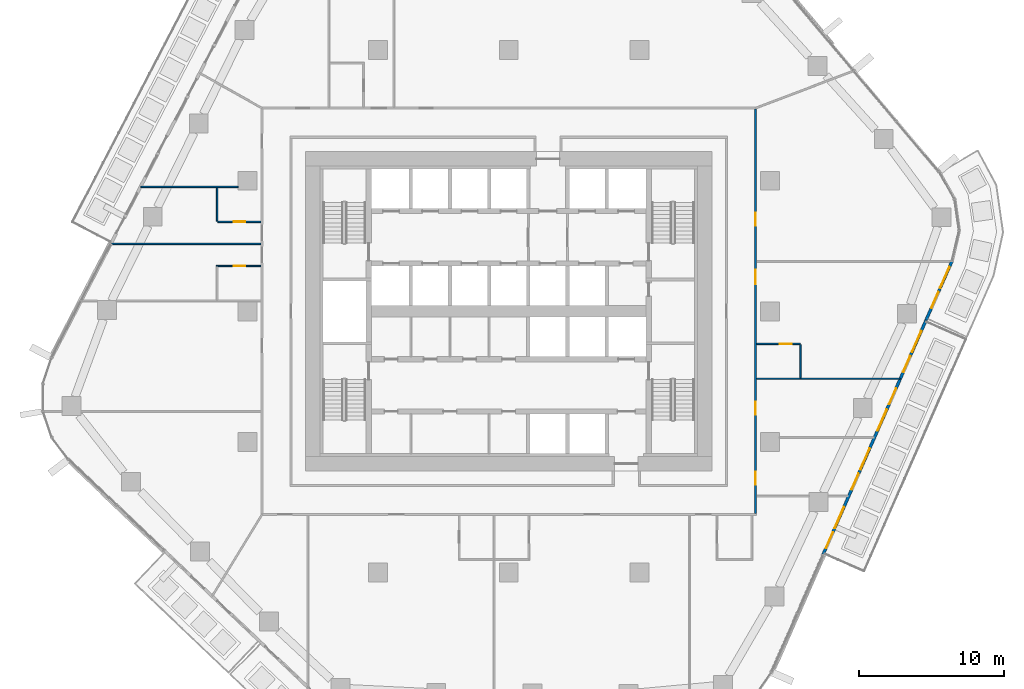
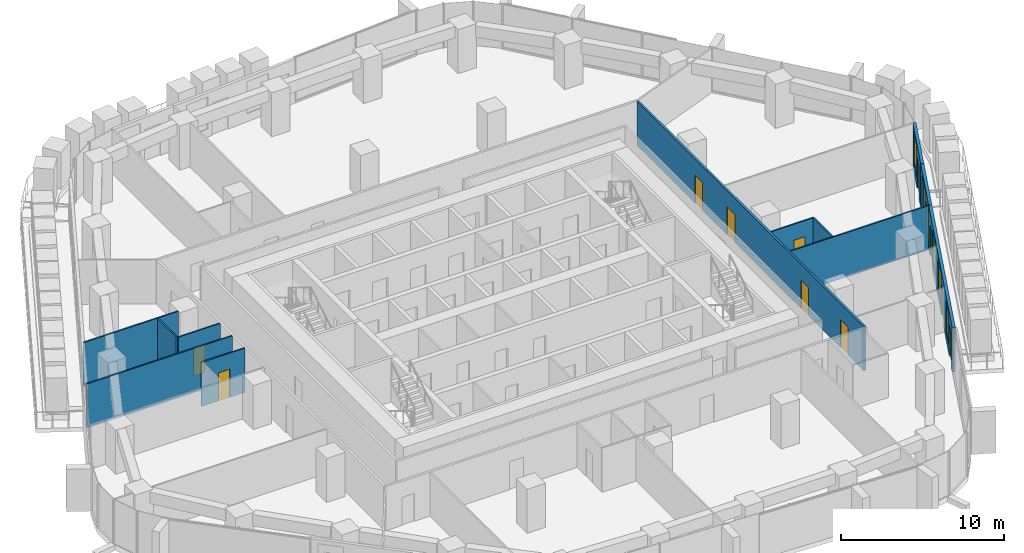
# One storey, part 14 of 23: 12 doors, 11 walls, 5 windows, 17 openings.
"""IFC4 building model written with IfcOpenShell, lengths in metres."""

from ifc_helpers import new_model, si_unit, direction, frame, frame_2d, origin, place, context, subcontext, project, spatial, rectangle, extrude, material, layer, layer_set, type_object, element, fill, save


model = new_model("IFC4")

# Units and contexts
model_context = context("Model", 3, precision=1e-05, world=origin(), true_north=direction((0.0, 1.0)))
body_context = subcontext(model_context, "Body", "Model", "MODEL_VIEW")
ifc_project = project(units=[si_unit("LENGTHUNIT", "METRE"), si_unit("AREAUNIT", "SQUARE_METRE"), si_unit("VOLUMEUNIT", "CUBIC_METRE"), si_unit("PLANEANGLEUNIT", "RADIAN"), si_unit("MASSUNIT", "GRAM", prefix="KILO")], contexts=[model_context])

# Site, building, storey
site_placement = place(None, origin())
site = spatial("IfcSite", under=ifc_project, at=site_placement, CompositionType="ELEMENT")
building_placement = place(site_placement, origin())
building = spatial("IfcBuilding", under=site, at=building_placement, Name="Dongbaek Canopy Tower", CompositionType="ELEMENT")
storey_placement = place(building_placement, frame((0.0, 0.0, 135.89990234375)))
storey = spatial("IfcBuildingStorey", under=building, at=storey_placement, Name="L30", CompositionType="ELEMENT", Elevation=135.89990234375)

# Wall, openings, doors
ifc_material_1 = material(Name="Gypsum board partition, steel stud, 2 x 15 mm fire board", Category="steel")
ifc_layer_1 = layer(ifc_material_1, 0.14990234375)
ifc_layer_set_1 = layer_set([ifc_layer_1], Name="Fire-rated partition 150 gypsum board")
wall_type_1 = type_object("IfcWallType", Name="Fire-rated partition 150 gypsum board", PredefinedType="PARTITIONING", material=ifc_layer_set_1)
wall_1_placement = place(storey_placement, frame((17.0, 13.925048828125, 0.0), z_axis=(0.0, 0.0, 1.0), x_axis=(0.0, -1.0, 0.0)))
wall_1 = element("IfcWall", 1, at=wall_1_placement, inside=storey, type_object=wall_type_1, Name="Corridor partition", PredefinedType="PARTITIONING", context=body_context, shape_type="SweptSolid", body=[
    extrude(rectangle(XDim=27.85009765625, YDim=0.14990234375, at=frame_2d((13.925048828125, 0.0))), origin(), (0.0, 0.0, 1.0), 3.300048828125),
])
opening_1_placement = place(wall_1_placement, frame((24.983154296875, 0.0, 0.0)))
opening_1 = element("IfcOpeningElement", 2, at=opening_1_placement, cuts=wall_1, Name="Opening L30-D009", PredefinedType="OPENING", context=body_context, shape_type="SweptSolid", body=[
    extrude(rectangle(XDim=0.89990234375, YDim=2.10009765625, at=frame_2d((0.449951171875, 1.050048828125))), frame((0.0, 0.0849609375, 0.0), z_axis=(0.0, -1.0, 0.0), x_axis=(1.0, 0.0, 0.0)), (0.0, 0.0, 1.0), 0.169921875),
])
opening_2_placement = place(wall_1_placement, frame((20.143310546875, 0.0, 0.0)))
opening_2 = element("IfcOpeningElement", 3, at=opening_2_placement, cuts=wall_1, Name="Opening L30-D010", PredefinedType="OPENING", context=body_context, shape_type="SweptSolid", body=[
    extrude(rectangle(XDim=0.89990234375, YDim=2.10009765625, at=frame_2d((0.449951171875, 1.050048828125))), frame((0.0, 0.0849609375, 0.0), z_axis=(0.0, -1.0, 0.0), x_axis=(1.0, 0.0, 0.0)), (0.0, 0.0, 1.0), 0.169921875),
])
opening_3_placement = place(wall_1_placement, frame((11.0537109375, 0.0, 0.0)))
opening_3 = element("IfcOpeningElement", 4, at=opening_3_placement, cuts=wall_1, Name="Opening L30-D012", PredefinedType="OPENING", context=body_context, shape_type="SweptSolid", body=[
    extrude(rectangle(XDim=1.0, YDim=2.10009765625, at=frame_2d((0.5, 1.050048828125))), frame((0.0, 0.0849609375, 0.0), z_axis=(0.0, -1.0, 0.0), x_axis=(1.0, 0.0, 0.0)), (0.0, 0.0, 1.0), 0.169921875),
])
opening_4_placement = place(wall_1_placement, frame((7.138671875, 0.0, 0.0)))
opening_4 = element("IfcOpeningElement", 5, at=opening_4_placement, cuts=wall_1, Name="Opening L30-D013", PredefinedType="OPENING", context=body_context, shape_type="SweptSolid", body=[
    extrude(rectangle(XDim=0.89990234375, YDim=2.10009765625, at=frame_2d((0.449951171875, 1.050048828125))), frame((0.0, 0.0849609375, 0.0), z_axis=(0.0, -1.0, 0.0), x_axis=(1.0, 0.0, 0.0)), (0.0, 0.0, 1.0), 0.169921875),
])
ifc_material_2 = material(Name="Timber veneered door leaf", Category="wood")
door_type_1 = type_object("IfcDoorType", Name="Guest room door 1000 x 2100", OperationType="SINGLE_SWING_LEFT", PredefinedType="DOOR", material=ifc_material_2)
door_1_placement = place(opening_3_placement, origin())
door_1 = element("IfcDoor", 6, at=door_1_placement, inside=storey, type_object=door_type_1, Name="Door L30-D012", OperationType="SINGLE_SWING_RIGHT", OverallHeight=2.10009765625, OverallWidth=1.0, PredefinedType="DOOR", context=body_context, shape_type="SweptSolid", body=[
    extrude(rectangle(XDim=1.0, YDim=2.10009765625, at=frame_2d((0.5, 1.050048828125))), frame((0.0, 0.02490234375, 0.0), z_axis=(0.0, -1.0, 0.0), x_axis=(1.0, 0.0, 0.0)), (0.0, 0.0, 1.0), 0.050048828125),
])
fill(opening_3, door_1)
ifc_material_3 = material(Name="Timber veneered door leaf", Category="wood")
door_type_2 = type_object("IfcDoorType", Name="Room door 900 x 2100", OperationType="SINGLE_SWING_LEFT", PredefinedType="DOOR", material=ifc_material_3)
door_2_placement = place(opening_1_placement, origin())
door_2 = element("IfcDoor", 7, at=door_2_placement, inside=storey, type_object=door_type_2, Name="Door L30-D009", OperationType="SINGLE_SWING_RIGHT", OverallHeight=2.10009765625, OverallWidth=0.89990234375, PredefinedType="DOOR", context=body_context, shape_type="SweptSolid", body=[
    extrude(rectangle(XDim=0.89990234375, YDim=2.10009765625, at=frame_2d((0.449951171875, 1.050048828125))), frame((0.0, 0.02490234375, 0.0), z_axis=(0.0, -1.0, 0.0), x_axis=(1.0, 0.0, 0.0)), (0.0, 0.0, 1.0), 0.050048828125),
])
fill(opening_1, door_2)
door_3_placement = place(opening_2_placement, origin())
door_3 = element("IfcDoor", 8, at=door_3_placement, inside=storey, type_object=door_type_2, Name="Door L30-D010", OperationType="SINGLE_SWING_LEFT", OverallHeight=2.10009765625, OverallWidth=0.89990234375, PredefinedType="DOOR", context=body_context, shape_type="SweptSolid", body=[
    extrude(rectangle(XDim=0.89990234375, YDim=2.10009765625, at=frame_2d((0.449951171875, 1.050048828125))), frame((0.0, 0.02490234375, 0.0), z_axis=(0.0, -1.0, 0.0), x_axis=(1.0, 0.0, 0.0)), (0.0, 0.0, 1.0), 0.050048828125),
])
fill(opening_2, door_3)
door_4_placement = place(opening_4_placement, origin())
door_4 = element("IfcDoor", 9, at=door_4_placement, inside=storey, type_object=door_type_2, Name="Door L30-D013", OperationType="SINGLE_SWING_LEFT", OverallHeight=2.10009765625, OverallWidth=0.89990234375, PredefinedType="DOOR", context=body_context, shape_type="SweptSolid", body=[
    extrude(rectangle(XDim=0.89990234375, YDim=2.10009765625, at=frame_2d((0.449951171875, 1.050048828125))), frame((0.0, 0.02490234375, 0.0), z_axis=(0.0, -1.0, 0.0), x_axis=(1.0, 0.0, 0.0)), (0.0, 0.0, 1.0), 0.050048828125),
])
fill(opening_4, door_4)

# Wall
ifc_material_4 = material(Name="Gypsum board partition, steel stud, 2 x 12.5 mm board", Category="steel")
ifc_layer_2 = layer(ifc_material_4, 0.10009765625)
ifc_layer_set_2 = layer_set([ifc_layer_2], Name="Partition 100 gypsum board")
wall_type_2 = type_object("IfcWallType", Name="Partition 100 gypsum board", PredefinedType="PARTITIONING", material=ifc_layer_set_2)
wall_2_placement = place(storey_placement, frame((17.074951171875, -4.64501953125, 0.0), z_axis=(0.0, 0.0, 1.0), x_axis=(1.0, 0.0, 0.0)))
element("IfcWall", 10, at=wall_2_placement, inside=storey, type_object=wall_type_2, Name="Partition", PredefinedType="PARTITIONING", context=body_context, shape_type="SweptSolid", body=[
    extrude(rectangle(XDim=9.885498046875, YDim=0.10009765625, at=frame_2d((4.94287109375, 0.0))), origin(), (0.0, 0.0, 1.0), 3.300048828125),
])

# Wall, opening, door
wall_3_placement = place(storey_placement, frame((20.10009765625, -2.2451171875, 0.0), z_axis=(0.0, 0.0, 1.0), x_axis=(-1.0, 0.0, 0.0)))
wall_3 = element("IfcWall", 11, at=wall_3_placement, inside=storey, type_object=wall_type_2, Name="Partition", PredefinedType="PARTITIONING", context=body_context, shape_type="SweptSolid", body=[
    extrude(rectangle(XDim=3.025146484375, YDim=0.10009765625, at=frame_2d((1.5126953125, 0.0))), origin(), (0.0, 0.0, 1.0), 3.300048828125),
])
opening_5_placement = place(wall_3_placement, frame((0.610107421875, 0.0, 0.0)))
opening_5 = element("IfcOpeningElement", 12, at=opening_5_placement, cuts=wall_3, Name="Opening L30-D011", PredefinedType="OPENING", context=body_context, shape_type="SweptSolid", body=[
    extrude(rectangle(XDim=0.800048828125, YDim=2.10009765625, at=frame_2d((0.39990234375, 1.050048828125))), frame((0.0, 0.06005859375, 0.0), z_axis=(0.0, -1.0, 0.0), x_axis=(1.0, 0.0, 0.0)), (0.0, 0.0, 1.0), 0.1201171875),
])
ifc_material_5 = material(Name="Timber veneered door leaf", Category="wood")
door_type_3 = type_object("IfcDoorType", Name="En-suite door 800 x 2100", OperationType="SINGLE_SWING_LEFT", PredefinedType="DOOR", material=ifc_material_5)
door_5_placement = place(opening_5_placement, origin())
door_5 = element("IfcDoor", 13, at=door_5_placement, inside=storey, type_object=door_type_3, Name="Door L30-D011", OperationType="SINGLE_SWING_LEFT", OverallHeight=2.10009765625, OverallWidth=0.800048828125, PredefinedType="DOOR", context=body_context, shape_type="SweptSolid", body=[
    extrude(rectangle(XDim=0.800048828125, YDim=2.10009765625, at=frame_2d((0.39990234375, 1.050048828125))), frame((0.0, 0.02490234375, 0.0), z_axis=(0.0, -1.0, 0.0), x_axis=(1.0, 0.0, 0.0)), (0.0, 0.0, 1.0), 0.050048828125),
])
fill(opening_5, door_5)

wall_4_placement = place(storey_placement, frame((-17.074951171875, 3.123046875, 0.0), z_axis=(0.0, 0.0, 1.0), x_axis=(-1.0, 0.0, 0.0)))
wall_4 = element("IfcWall", 14, at=wall_4_placement, inside=storey, type_object=wall_type_2, Name="Partition", PredefinedType="PARTITIONING", context=body_context, shape_type="SweptSolid", body=[
    extrude(rectangle(XDim=3.074951171875, YDim=0.10009765625, at=frame_2d((1.53759765625, 0.0))), origin(), (0.0, 0.0, 1.0), 3.300048828125),
])
opening_6_placement = place(wall_4_placement, frame((1.074951171875, 0.0, 0.0)))
opening_6 = element("IfcOpeningElement", 15, at=opening_6_placement, cuts=wall_4, Name="Opening L30-D021", PredefinedType="OPENING", context=body_context, shape_type="SweptSolid", body=[
    extrude(rectangle(XDim=0.800048828125, YDim=2.10009765625, at=frame_2d((0.39990234375, 1.050048828125))), frame((0.0, 0.06005859375, 0.0), z_axis=(0.0, -1.0, 0.0), x_axis=(1.0, 0.0, 0.0)), (0.0, 0.0, 1.0), 0.1201171875),
])
door_6_placement = place(opening_6_placement, origin())
door_6 = element("IfcDoor", 16, at=door_6_placement, inside=storey, type_object=door_type_3, Name="Door L30-D021", OperationType="SINGLE_SWING_RIGHT", OverallHeight=2.10009765625, OverallWidth=0.800048828125, PredefinedType="DOOR", context=body_context, shape_type="SweptSolid", body=[
    extrude(rectangle(XDim=0.800048828125, YDim=2.10009765625, at=frame_2d((0.39990234375, 1.050048828125))), frame((0.0, 0.02490234375, 0.0), z_axis=(0.0, -1.0, 0.0), x_axis=(1.0, 0.0, 0.0)), (0.0, 0.0, 1.0), 0.050048828125),
])
fill(opening_6, door_6)

# Wall
wall_5_placement = place(storey_placement, frame((-27.40185546875, 4.64697265625, 0.0), z_axis=(0.0, 0.0, 1.0), x_axis=(1.0, 0.0, 0.0)))
element("IfcWall", 17, at=wall_5_placement, inside=storey, type_object=wall_type_2, Name="Partition", PredefinedType="PARTITIONING", context=body_context, shape_type="SweptSolid", body=[
    extrude(rectangle(XDim=10.326904296875, YDim=0.10009765625, at=frame_2d((5.16357421875, 0.0))), origin(), (0.0, 0.0, 1.0), 3.300048828125),
])

# Wall, opening, door
wall_6_placement = place(storey_placement, frame((-20.050048828125, 6.169921875, 0.0), z_axis=(0.0, 0.0, 1.0), x_axis=(1.0, 0.0, 0.0)))
wall_6 = element("IfcWall", 18, at=wall_6_placement, inside=storey, type_object=wall_type_2, Name="Partition", PredefinedType="PARTITIONING", context=body_context, shape_type="SweptSolid", body=[
    extrude(rectangle(XDim=2.97509765625, YDim=0.10009765625, at=frame_2d((1.487548828125, 0.0))), origin(), (0.0, 0.0, 1.0), 3.300048828125),
])
opening_7_placement = place(wall_6_placement, frame((1.10009765625, 0.0, 0.0)))
opening_7 = element("IfcOpeningElement", 19, at=opening_7_placement, cuts=wall_6, Name="Opening L30-D019", PredefinedType="OPENING", context=body_context, shape_type="SweptSolid", body=[
    extrude(rectangle(XDim=0.800048828125, YDim=2.10009765625, at=frame_2d((0.39990234375, 1.050048828125))), frame((0.0, 0.06005859375, 0.0), z_axis=(0.0, -1.0, 0.0), x_axis=(1.0, 0.0, 0.0)), (0.0, 0.0, 1.0), 0.1201171875),
])
door_7_placement = place(opening_7_placement, origin())
door_7 = element("IfcDoor", 20, at=door_7_placement, inside=storey, type_object=door_type_3, Name="Door L30-D019", OperationType="SINGLE_SWING_LEFT", OverallHeight=2.10009765625, OverallWidth=0.800048828125, PredefinedType="DOOR", context=body_context, shape_type="SweptSolid", body=[
    extrude(rectangle(XDim=0.800048828125, YDim=2.10009765625, at=frame_2d((0.39990234375, 1.050048828125))), frame((0.0, 0.02490234375, 0.0), z_axis=(0.0, -1.0, 0.0), x_axis=(1.0, 0.0, 0.0)), (0.0, 0.0, 1.0), 0.050048828125),
])
fill(opening_7, door_7)

# Walls
wall_7_placement = place(storey_placement, frame((-25.35888671875, 8.570068359375, 0.0), z_axis=(0.0, 0.0, 1.0), x_axis=(1.0, 0.0, 0.0)))
element("IfcWall", 21, at=wall_7_placement, inside=storey, type_object=wall_type_2, Name="Partition", PredefinedType="PARTITIONING", context=body_context, shape_type="SweptSolid", body=[
    extrude(rectangle(XDim=6.708984375, YDim=0.10009765625, at=frame_2d((3.3544921875, 0.0))), origin(), (0.0, 0.0, 1.0), 3.300048828125),
])
wall_8_placement = place(storey_placement, frame((20.10009765625, -4.594970703125, 0.0), z_axis=(0.0, 0.0, 1.0), x_axis=(0.0, 1.0, 0.0)))
element("IfcWall", 22, at=wall_8_placement, inside=storey, type_object=wall_type_2, Name="Partition", PredefinedType="PARTITIONING", context=body_context, shape_type="SweptSolid", body=[
    extrude(rectangle(XDim=2.2998046875, YDim=0.10009765625, at=frame_2d((1.14990234375, 0.0))), origin(), (0.0, 0.0, 1.0), 3.300048828125),
])
wall_9_placement = place(storey_placement, frame((-20.10009765625, 6.219482421875, 0.0), z_axis=(0.0, 0.0, 1.0), x_axis=(0.0, 1.0, 0.0)))
element("IfcWall", 23, at=wall_9_placement, inside=storey, type_object=wall_type_2, Name="Partition", PredefinedType="PARTITIONING", context=body_context, shape_type="SweptSolid", body=[
    extrude(rectangle(XDim=2.300048828125, YDim=0.10009765625, at=frame_2d((1.14990234375, 0.0))), origin(), (0.0, 0.0, 1.0), 3.300048828125),
])

# Wall, openings, doors, windows
ifc_material_6 = material(Name="Aluminium window wall", Category="aluminium")
ifc_layer_3 = layer(ifc_material_6, 0.199951171875)
ifc_layer_set_3 = layer_set([ifc_layer_3], Name="Window wall 200")
wall_type_3 = type_object("IfcWallType", Name="Window wall 200", PredefinedType="SOLIDWALL", material=ifc_layer_set_3)
wall_10_placement = place(storey_placement, frame((21.650390625, -16.783447265625, 0.0), z_axis=(0.0, 0.0, 1.0), x_axis=(0.402171088909, 0.915564533633, 0.0)))
wall_10 = element("IfcWall", 24, at=wall_10_placement, inside=storey, type_object=wall_type_3, Name="Window wall L30 4", PredefinedType="SOLIDWALL", context=body_context, shape_type="SweptSolid", body=[
    extrude(rectangle(XDim=17.677001953125, YDim=0.199951171875, at=frame_2d((8.83837890625, 0.0))), origin(), (0.0, 0.0, 1.0), 3.300048828125),
])
opening_8_placement = place(wall_10_placement, frame((2.0, 0.0, 0.60009765625)))
opening_8 = element("IfcOpeningElement", 25, at=opening_8_placement, cuts=wall_10, Name="Opening W1", PredefinedType="OPENING", context=body_context, shape_type="SweptSolid", body=[
    extrude(rectangle(XDim=1.60009765625, YDim=2.39990234375, at=frame_2d((0.800048828125, 1.199951171875))), frame((0.0, 0.10986328125, 0.0), z_axis=(0.0, -1.0, 0.0), x_axis=(1.0, 0.0, 0.0)), (0.0, 0.0, 1.0), 0.219970703125),
])
opening_9_placement = place(wall_10_placement, frame((0.5, 0.0, 0.0)))
opening_9 = element("IfcOpeningElement", 26, at=opening_9_placement, cuts=wall_10, Name="Opening L30-B12", PredefinedType="OPENING", context=body_context, shape_type="SweptSolid", body=[
    extrude(rectangle(XDim=1.199951171875, YDim=2.39990234375, at=frame_2d((0.60009765625, 1.199951171875))), frame((0.0, 0.10986328125, 0.0), z_axis=(0.0, -1.0, 0.0), x_axis=(1.0, 0.0, 0.0)), (0.0, 0.0, 1.0), 0.219970703125),
])
opening_10_placement = place(wall_10_placement, frame((6.419189453125, 0.0, 0.60009765625)))
opening_10 = element("IfcOpeningElement", 27, at=opening_10_placement, cuts=wall_10, Name="Opening W1", PredefinedType="OPENING", context=body_context, shape_type="SweptSolid", body=[
    extrude(rectangle(XDim=1.60009765625, YDim=2.39990234375, at=frame_2d((0.800048828125, 1.199951171875))), frame((0.0, 0.10986328125, 0.0), z_axis=(0.0, -1.0, 0.0), x_axis=(1.0, 0.0, 0.0)), (0.0, 0.0, 1.0), 0.219970703125),
])
opening_11_placement = place(wall_10_placement, frame((4.919189453125, 0.0, 0.0)))
opening_11 = element("IfcOpeningElement", 28, at=opening_11_placement, cuts=wall_10, Name="Opening L30-B13", PredefinedType="OPENING", context=body_context, shape_type="SweptSolid", body=[
    extrude(rectangle(XDim=1.199951171875, YDim=2.39990234375, at=frame_2d((0.60009765625, 1.199951171875))), frame((0.0, 0.10986328125, 0.0), z_axis=(0.0, -1.0, 0.0), x_axis=(1.0, 0.0, 0.0)), (0.0, 0.0, 1.0), 0.219970703125),
])
opening_12_placement = place(wall_10_placement, frame((9.33837890625, 0.0, 0.60009765625)))
opening_12 = element("IfcOpeningElement", 29, at=opening_12_placement, cuts=wall_10, Name="Opening W1", PredefinedType="OPENING", context=body_context, shape_type="SweptSolid", body=[
    extrude(rectangle(XDim=1.60009765625, YDim=2.39990234375, at=frame_2d((0.800048828125, 1.199951171875))), frame((0.0, 0.10986328125, 0.0), z_axis=(0.0, -1.0, 0.0), x_axis=(1.0, 0.0, 0.0)), (0.0, 0.0, 1.0), 0.219970703125),
])
opening_13_placement = place(wall_10_placement, frame((11.33837890625, 0.0, 0.0)))
opening_13 = element("IfcOpeningElement", 30, at=opening_13_placement, cuts=wall_10, Name="Opening L30-B14", PredefinedType="OPENING", context=body_context, shape_type="SweptSolid", body=[
    extrude(rectangle(XDim=1.199951171875, YDim=2.39990234375, at=frame_2d((0.60009765625, 1.199951171875))), frame((0.0, 0.10986328125, 0.0), z_axis=(0.0, -1.0, 0.0), x_axis=(1.0, 0.0, 0.0)), (0.0, 0.0, 1.0), 0.219970703125),
])
opening_14_placement = place(wall_10_placement, frame((15.257568359375, 0.0, 0.60009765625)))
opening_14 = element("IfcOpeningElement", 31, at=opening_14_placement, cuts=wall_10, Name="Opening W1", PredefinedType="OPENING", context=body_context, shape_type="SweptSolid", body=[
    extrude(rectangle(XDim=1.60009765625, YDim=2.39990234375, at=frame_2d((0.800048828125, 1.199951171875))), frame((0.0, 0.10986328125, 0.0), z_axis=(0.0, -1.0, 0.0), x_axis=(1.0, 0.0, 0.0)), (0.0, 0.0, 1.0), 0.219970703125),
])
opening_15_placement = place(wall_10_placement, frame((13.757568359375, 0.0, 0.0)))
opening_15 = element("IfcOpeningElement", 32, at=opening_15_placement, cuts=wall_10, Name="Opening L30-B15", PredefinedType="OPENING", context=body_context, shape_type="SweptSolid", body=[
    extrude(rectangle(XDim=1.199951171875, YDim=2.39990234375, at=frame_2d((0.60009765625, 1.199951171875))), frame((0.0, 0.10986328125, 0.0), z_axis=(0.0, -1.0, 0.0), x_axis=(1.0, 0.0, 0.0)), (0.0, 0.0, 1.0), 0.219970703125),
])
ifc_material_7 = material(Name="Clear glazing in aluminium frame", Category="aluminium")
door_type_4 = type_object("IfcDoorType", Name="Balcony door BD1 1200 x 2400", OperationType="SLIDING_TO_LEFT", PredefinedType="DOOR", material=ifc_material_7)
door_8_placement = place(opening_9_placement, origin())
door_8 = element("IfcDoor", 33, at=door_8_placement, inside=storey, type_object=door_type_4, Name="Balcony door L30-B12", OperationType="SLIDING_TO_LEFT", OverallHeight=2.39990234375, OverallWidth=1.199951171875, PredefinedType="DOOR", context=body_context, shape_type="SweptSolid", body=[
    extrude(rectangle(XDim=1.199951171875, YDim=2.39990234375, at=frame_2d((0.60009765625, 1.199951171875))), frame((0.0, 0.02490234375, 0.0), z_axis=(0.0, -1.0, 0.0), x_axis=(1.0, 0.0, 0.0)), (0.0, 0.0, 1.0), 0.050048828125),
])
fill(opening_9, door_8)
door_9_placement = place(opening_11_placement, origin())
door_9 = element("IfcDoor", 34, at=door_9_placement, inside=storey, type_object=door_type_4, Name="Balcony door L30-B13", OperationType="SLIDING_TO_LEFT", OverallHeight=2.39990234375, OverallWidth=1.199951171875, PredefinedType="DOOR", context=body_context, shape_type="SweptSolid", body=[
    extrude(rectangle(XDim=1.199951171875, YDim=2.39990234375, at=frame_2d((0.60009765625, 1.199951171875))), frame((0.0, 0.02490234375, 0.0), z_axis=(0.0, -1.0, 0.0), x_axis=(1.0, 0.0, 0.0)), (0.0, 0.0, 1.0), 0.050048828125),
])
fill(opening_11, door_9)
door_10_placement = place(opening_13_placement, origin())
door_10 = element("IfcDoor", 35, at=door_10_placement, inside=storey, type_object=door_type_4, Name="Balcony door L30-B14", OperationType="SLIDING_TO_LEFT", OverallHeight=2.39990234375, OverallWidth=1.199951171875, PredefinedType="DOOR", context=body_context, shape_type="SweptSolid", body=[
    extrude(rectangle(XDim=1.199951171875, YDim=2.39990234375, at=frame_2d((0.60009765625, 1.199951171875))), frame((0.0, 0.02490234375, 0.0), z_axis=(0.0, -1.0, 0.0), x_axis=(1.0, 0.0, 0.0)), (0.0, 0.0, 1.0), 0.050048828125),
])
fill(opening_13, door_10)
door_11_placement = place(opening_15_placement, origin())
door_11 = element("IfcDoor", 36, at=door_11_placement, inside=storey, type_object=door_type_4, Name="Balcony door L30-B15", OperationType="SLIDING_TO_LEFT", OverallHeight=2.39990234375, OverallWidth=1.199951171875, PredefinedType="DOOR", context=body_context, shape_type="SweptSolid", body=[
    extrude(rectangle(XDim=1.199951171875, YDim=2.39990234375, at=frame_2d((0.60009765625, 1.199951171875))), frame((0.0, 0.02490234375, 0.0), z_axis=(0.0, -1.0, 0.0), x_axis=(1.0, 0.0, 0.0)), (0.0, 0.0, 1.0), 0.050048828125),
])
fill(opening_15, door_11)
ifc_material_8 = material(Name="Clear glazing in aluminium frame", Category="aluminium")
window_type = type_object("IfcWindowType", Name="Window W1 1600 x 2400", PartitioningType="SINGLE_PANEL", PredefinedType="WINDOW", material=ifc_material_8)
window_1_placement = place(opening_8_placement, origin())
window_1 = element("IfcWindow", 37, at=window_1_placement, inside=storey, type_object=window_type, Name="Window L30 4.1", OverallHeight=2.39990234375, OverallWidth=1.60009765625, PartitioningType="SINGLE_PANEL", PredefinedType="WINDOW", context=body_context, shape_type="SweptSolid", body=[
    extrude(rectangle(XDim=1.60009765625, YDim=2.39990234375, at=frame_2d((0.800048828125, 1.199951171875))), frame((0.0, 0.030029296875, 0.0), z_axis=(0.0, -1.0, 0.0), x_axis=(1.0, 0.0, 0.0)), (0.0, 0.0, 1.0), 0.06005859375),
])
fill(opening_8, window_1)
window_2_placement = place(opening_10_placement, origin())
window_2 = element("IfcWindow", 38, at=window_2_placement, inside=storey, type_object=window_type, Name="Window L30 4.2", OverallHeight=2.39990234375, OverallWidth=1.60009765625, PartitioningType="SINGLE_PANEL", PredefinedType="WINDOW", context=body_context, shape_type="SweptSolid", body=[
    extrude(rectangle(XDim=1.60009765625, YDim=2.39990234375, at=frame_2d((0.800048828125, 1.199951171875))), frame((0.0, 0.030029296875, 0.0), z_axis=(0.0, -1.0, 0.0), x_axis=(1.0, 0.0, 0.0)), (0.0, 0.0, 1.0), 0.06005859375),
])
fill(opening_10, window_2)
window_3_placement = place(opening_12_placement, origin())
window_3 = element("IfcWindow", 39, at=window_3_placement, inside=storey, type_object=window_type, Name="Window L30 4.3", OverallHeight=2.39990234375, OverallWidth=1.60009765625, PartitioningType="SINGLE_PANEL", PredefinedType="WINDOW", context=body_context, shape_type="SweptSolid", body=[
    extrude(rectangle(XDim=1.60009765625, YDim=2.39990234375, at=frame_2d((0.800048828125, 1.199951171875))), frame((0.0, 0.030029296875, 0.0), z_axis=(0.0, -1.0, 0.0), x_axis=(1.0, 0.0, 0.0)), (0.0, 0.0, 1.0), 0.06005859375),
])
fill(opening_12, window_3)
window_4_placement = place(opening_14_placement, origin())
window_4 = element("IfcWindow", 40, at=window_4_placement, inside=storey, type_object=window_type, Name="Window L30 4.4", OverallHeight=2.39990234375, OverallWidth=1.60009765625, PartitioningType="SINGLE_PANEL", PredefinedType="WINDOW", context=body_context, shape_type="SweptSolid", body=[
    extrude(rectangle(XDim=1.60009765625, YDim=2.39990234375, at=frame_2d((0.800048828125, 1.199951171875))), frame((0.0, 0.030029296875, 0.0), z_axis=(0.0, -1.0, 0.0), x_axis=(1.0, 0.0, 0.0)), (0.0, 0.0, 1.0), 0.06005859375),
])
fill(opening_14, window_4)

# Wall, openings, door, window
wall_11_placement = place(storey_placement, frame((28.759521484375, -0.59912109375, 0.0), z_axis=(0.0, 0.0, 1.0), x_axis=(0.402194955318, 0.915554049697, 0.0)))
wall_11 = element("IfcWall", 41, at=wall_11_placement, inside=storey, type_object=wall_type_3, Name="Window wall L30 5", PredefinedType="SOLIDWALL", context=body_context, shape_type="SweptSolid", body=[
    extrude(rectangle(XDim=4.409912109375, YDim=0.199951171875, at=frame_2d((2.205078125, 0.0))), origin(), (0.0, 0.0, 1.0), 3.300048828125),
])
opening_16_placement = place(wall_11_placement, frame((2.39990234375, 0.0, 0.60009765625)))
opening_16 = element("IfcOpeningElement", 42, at=opening_16_placement, cuts=wall_11, Name="Opening W1", PredefinedType="OPENING", context=body_context, shape_type="SweptSolid", body=[
    extrude(rectangle(XDim=1.60009765625, YDim=2.39990234375, at=frame_2d((0.800048828125, 1.199951171875))), frame((0.0, 0.10986328125, 0.0), z_axis=(0.0, -1.0, 0.0), x_axis=(1.0, 0.0, 0.0)), (0.0, 0.0, 1.0), 0.219970703125),
])
opening_17_placement = place(wall_11_placement, frame((0.89990234375, 0.0, 0.0)))
opening_17 = element("IfcOpeningElement", 43, at=opening_17_placement, cuts=wall_11, Name="Opening L30-B16", PredefinedType="OPENING", context=body_context, shape_type="SweptSolid", body=[
    extrude(rectangle(XDim=1.199951171875, YDim=2.39990234375, at=frame_2d((0.60009765625, 1.199951171875))), frame((0.0, 0.10986328125, 0.0), z_axis=(0.0, -1.0, 0.0), x_axis=(1.0, 0.0, 0.0)), (0.0, 0.0, 1.0), 0.219970703125),
])
door_12_placement = place(opening_17_placement, origin())
door_12 = element("IfcDoor", 44, at=door_12_placement, inside=storey, type_object=door_type_4, Name="Balcony door L30-B16", OperationType="SLIDING_TO_LEFT", OverallHeight=2.39990234375, OverallWidth=1.199951171875, PredefinedType="DOOR", context=body_context, shape_type="SweptSolid", body=[
    extrude(rectangle(XDim=1.199951171875, YDim=2.39990234375, at=frame_2d((0.60009765625, 1.199951171875))), frame((0.0, 0.02490234375, 0.0), z_axis=(0.0, -1.0, 0.0), x_axis=(1.0, 0.0, 0.0)), (0.0, 0.0, 1.0), 0.050048828125),
])
fill(opening_17, door_12)
window_5_placement = place(opening_16_placement, origin())
window_5 = element("IfcWindow", 45, at=window_5_placement, inside=storey, type_object=window_type, Name="Window L30 5.1", OverallHeight=2.39990234375, OverallWidth=1.60009765625, PartitioningType="SINGLE_PANEL", PredefinedType="WINDOW", context=body_context, shape_type="SweptSolid", body=[
    extrude(rectangle(XDim=1.60009765625, YDim=2.39990234375, at=frame_2d((0.800048828125, 1.199951171875))), frame((0.0, 0.030029296875, 0.0), z_axis=(0.0, -1.0, 0.0), x_axis=(1.0, 0.0, 0.0)), (0.0, 0.0, 1.0), 0.06005859375),
])
fill(opening_16, window_5)

save(model, "model.ifc")
